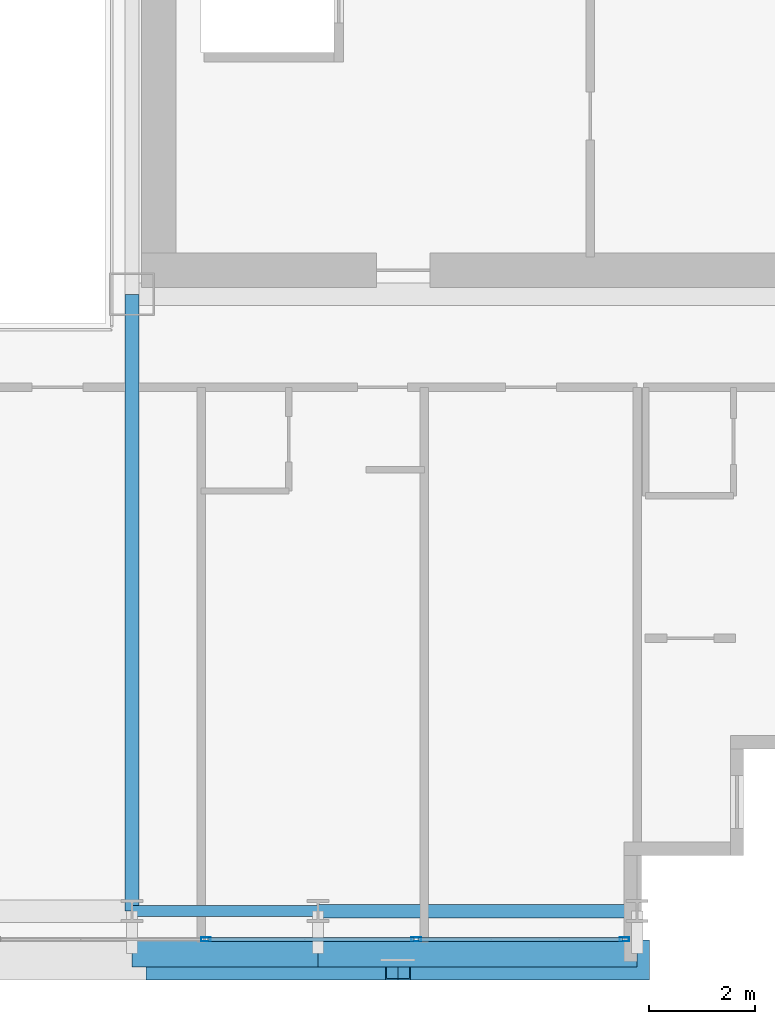
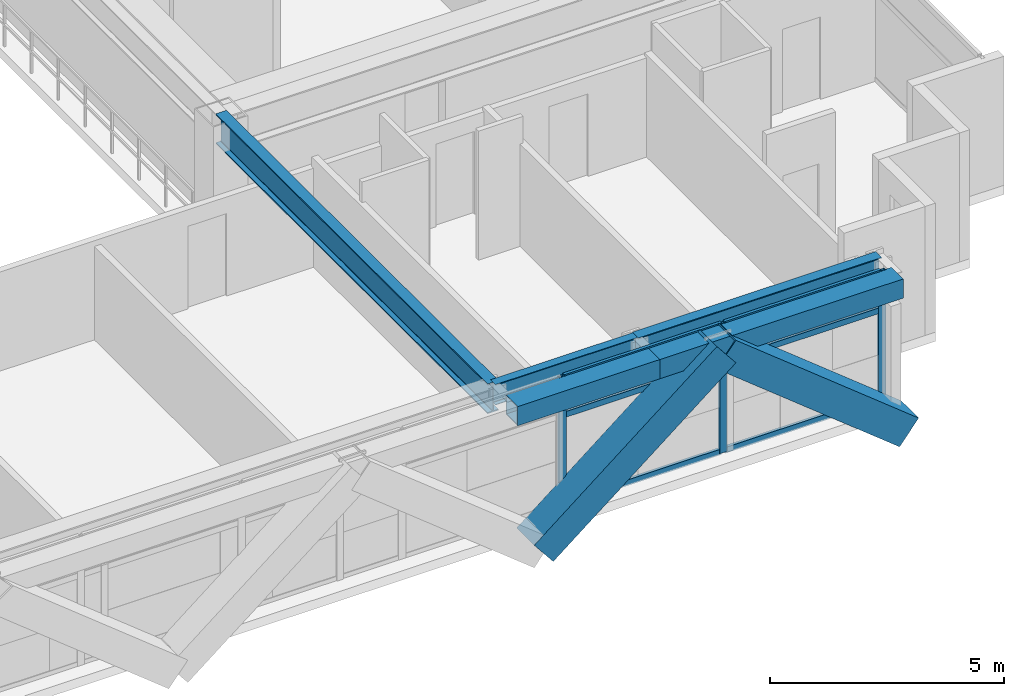
# One storey, part 10 of 35: 11 members, 5 beams, 1 element without a shape of its own.
"""IFC4 building model written with IfcOpenShell, lengths in metres."""

from ifc_helpers import new_model, si_unit, direction, frame, origin, origin_2d, place, context, subcontext, project, spatial, hollow_rectangle, i_section, extrude, source, transform, mapped, material, layer, layer_set, material_profile, profile_set, type_object, element, aggregate, save


model = new_model("IFC4")

# Units and contexts
model_context = context("Model", 3, precision=1e-05, world=origin(), true_north=direction((0.0, 1.0)))
body_context = subcontext(model_context, "Body", "Model", "MODEL_VIEW")
ifc_project = project(units=[si_unit("LENGTHUNIT", "METRE"), si_unit("AREAUNIT", "SQUARE_METRE"), si_unit("VOLUMEUNIT", "CUBIC_METRE"), si_unit("PLANEANGLEUNIT", "RADIAN"), si_unit("MASSUNIT", "GRAM", prefix="KILO")], contexts=[model_context])

# Site, building, storey
site_placement = place(None, origin())
site = spatial("IfcSite", under=ifc_project, at=site_placement, CompositionType="ELEMENT")
building_placement = place(site_placement, origin())
building = spatial("IfcBuilding", under=site, at=building_placement, Name="Ocotamira Hotel", CompositionType="ELEMENT")
storey_placement = place(building_placement, frame((0.0, 0.0, 118.800048828125)))
storey = spatial("IfcBuildingStorey", under=building, at=storey_placement, Name="L29", CompositionType="ELEMENT", Elevation=118.800048828125)

# Beams
ifc_material_1 = material(Name="Steel ASTM A992 Grade 50", Category="steel")
ifc_material_profile_1 = material_profile(ifc_material_1, i_section(OverallWidth=0.256103515625, OverallDepth=0.693115234375, WebThickness=0.014404296875, FlangeThickness=0.023681640625, FilletRadius=0.01611328125, at=origin_2d()), Name="W27X114")
ifc_profile_set_1 = profile_set([ifc_material_profile_1], Name="Steel ASTM A992 Grade 50")
beam_type_1 = type_object("IfcBeamType", Name="BM-PRIM-W27X114", PredefinedType="BEAM", material=ifc_profile_set_1)
shared_shape_1 = source(origin(), body_context, "Body", "SweptSolid", [
    extrude(i_section(OverallWidth=0.256103515625, OverallDepth=0.693115234375, WebThickness=0.014404296875, FlangeThickness=0.023681640625, FilletRadius=0.01611328125, at=origin_2d()), origin(), (0.0, 0.0, 1.0), 6.0),
])
beam_1_placement = place(storey_placement, frame((44.0, 2.949951171875, 3.013427734375), z_axis=(1.0, 0.0, 0.0), x_axis=(0.0, 1.0, 0.0)))
element("IfcBeam", 1, at=beam_1_placement, inside=storey, type_object=beam_type_1, Name="L29 Girder Y2.95 X44-50", PredefinedType="BEAM", context=body_context, shape_type="MappedRepresentation", body=[
    mapped(shared_shape_1, transform((0.0, 0.0, 0.0), scale=1.0)),
])
ifc_material_profile_2 = material_profile(ifc_material_1, i_section(OverallWidth=0.2099609375, OverallDepth=0.537109375, WebThickness=0.010986328125, FlangeThickness=0.017333984375, FilletRadius=0.012939453125, at=origin_2d()), Name="W21X68")
ifc_profile_set_2 = profile_set([ifc_material_profile_2], Name="Steel ASTM A992 Grade 50")
beam_type_2 = type_object("IfcBeamType", Name="BM-SEC-W21X68", PredefinedType="JOIST", material=ifc_profile_set_2)
shared_shape_2 = source(origin(), body_context, "Body", "SweptSolid", [
    extrude(i_section(OverallWidth=0.2099609375, OverallDepth=0.537109375, WebThickness=0.010986328125, FlangeThickness=0.017333984375, FilletRadius=0.012939453125, at=origin_2d()), origin(), (0.0, 0.0, 1.0), 3.5),
])
beam_2_placement = place(storey_placement, frame((40.5, 2.949951171875, 3.091552734375), z_axis=(1.0, 0.0, 0.0), x_axis=(0.0, 1.0, 0.0)))
element("IfcBeam", 2, at=beam_2_placement, inside=storey, type_object=beam_type_2, Name="L29 Girder Y2.95 X40.5-44", PredefinedType="JOIST", context=body_context, shape_type="MappedRepresentation", body=[
    mapped(shared_shape_2, transform((0.0, 0.0, 0.0), scale=1.0)),
])
ifc_material_profile_3 = material_profile(ifc_material_1, i_section(OverallWidth=0.26611328125, OverallDepth=0.779052734375, WebThickness=0.0166015625, FlangeThickness=0.030029296875, FilletRadius=0.01806640625, at=origin_2d()), Name="W30X148")
ifc_profile_set_3 = profile_set([ifc_material_profile_3], Name="Steel ASTM A992 Grade 50")
beam_type_3 = type_object("IfcBeamType", Name="BM-GIRD-W30X148", PredefinedType="BEAM", material=ifc_profile_set_3)
shared_shape_3 = source(origin(), body_context, "Body", "SweptSolid", [
    extrude(i_section(OverallWidth=0.26611328125, OverallDepth=0.779052734375, WebThickness=0.0166015625, FlangeThickness=0.030029296875, FilletRadius=0.01806640625, at=origin_2d()), origin(), (0.0, 0.0, 1.0), 11.60009765625),
])
beam_3_placement = place(storey_placement, frame((40.5, 2.949951171875, 2.970458984375), z_axis=(0.0, 1.0, 0.0), x_axis=(-1.0, 0.0, 0.0)))
element("IfcBeam", 3, at=beam_3_placement, inside=storey, type_object=beam_type_3, Name="L29 Beam X40.5 Y2.95-14.55", PredefinedType="BEAM", context=body_context, shape_type="MappedRepresentation", body=[
    mapped(shared_shape_3, transform((0.0, 0.0, 0.0), scale=1.0)),
])
ifc_material_2 = material(Name="Steel ASTM A500 Grade C", Category="steel")
ifc_material_profile_4 = material_profile(ifc_material_2, hollow_rectangle(XDim=0.5, YDim=0.5, WallThickness=0.02001953125, at=origin_2d()), Name="HSS500X500X20")
ifc_profile_set_4 = profile_set([ifc_material_profile_4], Name="Steel ASTM A500 Grade C")
beam_type_4 = type_object("IfcBeamType", Name="BM-SPAN-HSS500", PredefinedType="USERDEFINED", material=ifc_profile_set_4)
shared_shape_4 = source(origin(), body_context, "Body", "SweptSolid", [
    extrude(hollow_rectangle(XDim=0.5, YDim=0.5, WallThickness=0.02001953125, at=origin_2d()), origin(), (0.0, 0.0, 1.0), 6.0),
])
beam_4_placement = place(storey_placement, frame((44.0, 2.14990234375, 3.10986328125), z_axis=(1.0, 0.0, 0.0), x_axis=(0.0, 1.0, 0.0)))
element("IfcBeam", 4, at=beam_4_placement, inside=storey, type_object=beam_type_4, Name="L29 Edge Spandrel S X44-50", ObjectType="SPANDREL", PredefinedType="USERDEFINED", context=body_context, shape_type="MappedRepresentation", body=[
    mapped(shared_shape_4, transform((0.0, 0.0, 0.0), scale=1.0)),
])
shared_shape_5 = source(origin(), body_context, "Body", "SweptSolid", [
    extrude(hollow_rectangle(XDim=0.5, YDim=0.5, WallThickness=0.02001953125, at=origin_2d()), origin(), (0.0, 0.0, 1.0), 3.5),
])
beam_5_placement = place(storey_placement, frame((40.5, 2.14990234375, 3.10986328125), z_axis=(1.0, 0.0, 0.0), x_axis=(0.0, 1.0, 0.0)))
element("IfcBeam", 5, at=beam_5_placement, inside=storey, type_object=beam_type_4, Name="L29 Edge Spandrel S X40.5-44", ObjectType="SPANDREL", PredefinedType="USERDEFINED", context=body_context, shape_type="MappedRepresentation", body=[
    mapped(shared_shape_5, transform((0.0, 0.0, 0.0), scale=1.0)),
])

# Members
ifc_material_3 = material(Name="Pale-metal coated steel ASTM A913 Grade 65", Category="steel")
ifc_material_profile_5 = material_profile(ifc_material_3, hollow_rectangle(XDim=0.75, YDim=0.75, WallThickness=0.028076171875, at=origin_2d()), Name="BOX750X750X28")
ifc_profile_set_5 = profile_set([ifc_material_profile_5], Name="Pale-metal coated steel ASTM A913 Grade 65")
member_type_1 = type_object("IfcMemberType", Name="MEM-EXO-BOX750", PredefinedType="BRACE", material=ifc_profile_set_5)
shared_shape_6 = source(origin(), body_context, "Body", "SweptSolid", [
    extrude(hollow_rectangle(XDim=0.75, YDim=0.75, WallThickness=0.028076171875, at=origin_2d()), origin(), (0.0, 0.0, 1.0), 5.7626953125),
])
for number, where, z_axis, x_axis, name in (
    (6, (41.0, 2.030029296875, -0.489990234375), (0.780881208953, 0.0, 0.624679547852), (0.0, 1.0, 0.0), "L29 Exoskeleton Diagrid S3.1"),
    (7, (50.0, 2.030029296875, -0.489990234375), (-0.780881208953, 0.0, 0.624679547852), (0.0, -1.0, 0.0), "L29 Exoskeleton Diagrid S3.2"),
):
    element("IfcMember", number, at=place(storey_placement, frame(where, z_axis=z_axis, x_axis=x_axis)), inside=storey, type_object=member_type_1, Name=name, PredefinedType="BRACE", context=body_context, shape_type="MappedRepresentation", body=[
        mapped(shared_shape_6, transform((0.0, 0.0, 0.0), scale=1.0)),
    ])

# Curtain wall, members
ifc_material_4 = material(Name="Anodised pale-metal aluminium and solar glass", Category="aluminium")
ifc_layer = layer(ifc_material_4, 0.179931640625)
ifc_layer_set = layer_set([ifc_layer], Name="Anodised pale-metal aluminium and solar glass")
curtain_wall_type = type_object("IfcCurtainWallType", Name="CW-SYS3-Z2", PredefinedType="NOTDEFINED", material=ifc_layer_set)
curtain_wall_placement = place(storey_placement, origin())
curtain_wall = element("IfcCurtainWall", 8, at=curtain_wall_placement, inside=storey, type_object=curtain_wall_type, Name="L29 Curtain Wall CW-3 CW-L29-S1", PredefinedType="NOTDEFINED")
ifc_material_5 = material(Name="Anodised pale-metal aluminium 6063-T6", Category="aluminium")
ifc_material_profile_6 = material_profile(ifc_material_5, hollow_rectangle(XDim=0.074951171875, YDim=0.14990234375, WallThickness=0.006103515625, at=origin_2d()), Name="HSS150X75X6")
ifc_profile_set_6 = profile_set([ifc_material_profile_6], Name="Anodised pale-metal aluminium 6063-T6")
member_type_2 = type_object("IfcMemberType", Name="CWT-150X75", PredefinedType="USERDEFINED", material=ifc_profile_set_6)
shared_shape_7 = source(origin(), body_context, "Body", "SweptSolid", [
    extrude(hollow_rectangle(XDim=0.074951171875, YDim=0.14990234375, WallThickness=0.006103515625, at=origin_2d()), origin(), (0.0, 0.0, 1.0), 3.83544921875),
])
member_1_placement = place(storey_placement, frame((45.884521484375, 2.419921875, 0.037353515625), z_axis=(1.0, 0.0, 0.0), x_axis=(0.0, 1.0, 0.0)))
member_1 = element("IfcMember", 9, at=member_1_placement, type_object=member_type_2, Name="CW-3 transom 9.1", ObjectType="TRANSOM", PredefinedType="USERDEFINED", context=body_context, shape_type="MappedRepresentation", body=[
    mapped(shared_shape_7, transform((0.0, 0.0, 0.0), scale=1.0)),
])
member_2_placement = place(storey_placement, frame((45.884521484375, 2.419921875, 2.349853515625), z_axis=(1.0, 0.0, 0.0), x_axis=(0.0, 1.0, 0.0)))
member_2 = element("IfcMember", 10, at=member_2_placement, type_object=member_type_2, Name="CW-3 transom 9.2", ObjectType="TRANSOM", PredefinedType="USERDEFINED", context=body_context, shape_type="MappedRepresentation", body=[
    mapped(shared_shape_7, transform((0.0, 0.0, 0.0), scale=1.0)),
])
member_3_placement = place(storey_placement, frame((45.884521484375, 2.419921875, 3.322509765625), z_axis=(1.0, 0.0, 0.0), x_axis=(0.0, 1.0, 0.0)))
member_3 = element("IfcMember", 11, at=member_3_placement, type_object=member_type_2, Name="CW-3 transom 9.3", ObjectType="TRANSOM", PredefinedType="USERDEFINED", context=body_context, shape_type="MappedRepresentation", body=[
    mapped(shared_shape_7, transform((0.0, 0.0, 0.0), scale=1.0)),
])
shared_shape_8 = source(origin(), body_context, "Body", "SweptSolid", [
    extrude(hollow_rectangle(XDim=0.074951171875, YDim=0.14990234375, WallThickness=0.006103515625, at=origin_2d()), origin(), (0.0, 0.0, 1.0), 3.87548828125),
])
member_4_placement = place(storey_placement, frame((41.928955078125, 2.419921875, 0.037353515625), z_axis=(1.0, 0.0, 0.0), x_axis=(0.0, 1.0, 0.0)))
member_4 = element("IfcMember", 12, at=member_4_placement, type_object=member_type_2, Name="CW-3 transom 8.1", ObjectType="TRANSOM", PredefinedType="USERDEFINED", context=body_context, shape_type="MappedRepresentation", body=[
    mapped(shared_shape_8, transform((0.0, 0.0, 0.0), scale=1.0)),
])
member_5_placement = place(storey_placement, frame((41.928955078125, 2.419921875, 2.349853515625), z_axis=(1.0, 0.0, 0.0), x_axis=(0.0, 1.0, 0.0)))
member_5 = element("IfcMember", 13, at=member_5_placement, type_object=member_type_2, Name="CW-3 transom 8.2", ObjectType="TRANSOM", PredefinedType="USERDEFINED", context=body_context, shape_type="MappedRepresentation", body=[
    mapped(shared_shape_8, transform((0.0, 0.0, 0.0), scale=1.0)),
])
member_6_placement = place(storey_placement, frame((41.928955078125, 2.419921875, 3.322509765625), z_axis=(1.0, 0.0, 0.0), x_axis=(0.0, 1.0, 0.0)))
member_6 = element("IfcMember", 14, at=member_6_placement, type_object=member_type_2, Name="CW-3 transom 8.3", ObjectType="TRANSOM", PredefinedType="USERDEFINED", context=body_context, shape_type="MappedRepresentation", body=[
    mapped(shared_shape_8, transform((0.0, 0.0, 0.0), scale=1.0)),
])
ifc_material_profile_7 = material_profile(ifc_material_5, hollow_rectangle(XDim=0.080078125, YDim=0.179931640625, WallThickness=0.006103515625, at=origin_2d()), Name="HSS180X80X6")
ifc_profile_set_7 = profile_set([ifc_material_profile_7], Name="Anodised pale-metal aluminium 6063-T6")
member_type_3 = type_object("IfcMemberType", Name="CWM-180X75", PredefinedType="MULLION", material=ifc_profile_set_7)
shared_shape_9 = source(origin(), body_context, "Body", "SweptSolid", [
    extrude(hollow_rectangle(XDim=0.080078125, YDim=0.179931640625, WallThickness=0.006103515625, at=origin_2d()), origin(), (0.0, 0.0, 1.0), 3.35986328125),
])
member_7_placement = place(storey_placement, frame((41.888916015625, 2.419921875, 0.0), z_axis=(0.0, 0.0, 1.0), x_axis=(0.0, 1.0, 0.0)))
member_7 = element("IfcMember", 15, at=member_7_placement, type_object=member_type_3, Name="CW-3 mullion 8", PredefinedType="MULLION", context=body_context, shape_type="MappedRepresentation", body=[
    mapped(shared_shape_9, transform((0.0, 0.0, 0.0), scale=1.0)),
])
member_8_placement = place(storey_placement, frame((45.844482421875, 2.419921875, 0.0), z_axis=(0.0, 0.0, 1.0), x_axis=(0.0, 1.0, 0.0)))
member_8 = element("IfcMember", 16, at=member_8_placement, type_object=member_type_3, Name="CW-3 mullion 9", PredefinedType="MULLION", context=body_context, shape_type="MappedRepresentation", body=[
    mapped(shared_shape_9, transform((0.0, 0.0, 0.0), scale=1.0)),
])
member_9_placement = place(storey_placement, frame((49.760009765625, 2.419921875, 0.0), z_axis=(0.0, 0.0, 1.0), x_axis=(0.0, 1.0, 0.0)))
member_9 = element("IfcMember", 17, at=member_9_placement, type_object=member_type_3, Name="CW-3 mullion 10", PredefinedType="MULLION", context=body_context, shape_type="MappedRepresentation", body=[
    mapped(shared_shape_9, transform((0.0, 0.0, 0.0), scale=1.0)),
])
aggregate(curtain_wall, [member_7, member_8, member_9, member_4, member_5, member_6, member_1, member_2, member_3])

save(model, "model.ifc")
